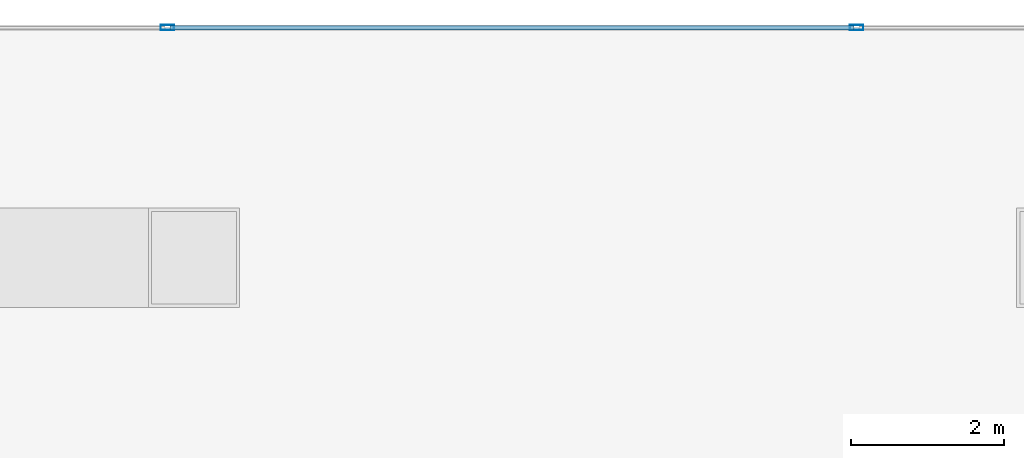
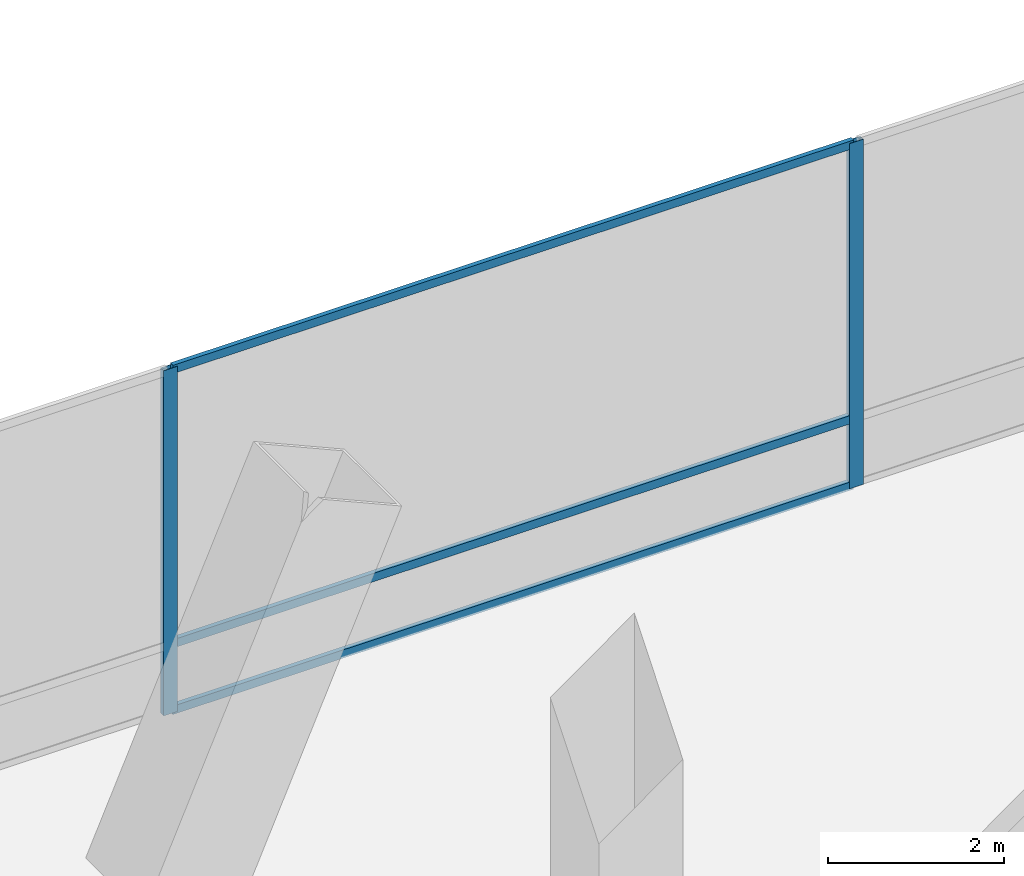
# One storey, part 23 of 42: 5 members, 1 element without a shape of its own.
"""IFC4 building model written with IfcOpenShell, lengths in metres."""

from ifc_helpers import new_model, si_unit, direction, frame, origin, origin_2d, place, context, subcontext, project, spatial, hollow_rectangle, extrude, material, layer, layer_set, material_profile, profile_set, type_object, element, aggregate, save


model = new_model("IFC4")

# Units and contexts
model_context = context("Model", 3, precision=1e-05, world=origin(), true_north=direction((0.0, 1.0)))
body_context = subcontext(model_context, "Body", "Model", "MODEL_VIEW")
ifc_project = project(units=[si_unit("LENGTHUNIT", "METRE"), si_unit("AREAUNIT", "SQUARE_METRE"), si_unit("VOLUMEUNIT", "CUBIC_METRE"), si_unit("PLANEANGLEUNIT", "RADIAN"), si_unit("MASSUNIT", "GRAM", prefix="KILO")], contexts=[model_context])

# Site, building, storey
site_placement = place(None, origin())
site = spatial("IfcSite", under=ifc_project, at=site_placement, CompositionType="ELEMENT")
building_placement = place(site_placement, origin())
building = spatial("IfcBuilding", under=site, at=building_placement, Name="Qianvela Tower", CompositionType="ELEMENT")
storey_placement = place(building_placement, frame((0.0, 0.0, 6.0)))
storey = spatial("IfcBuildingStorey", under=building, at=storey_placement, Name="L01", CompositionType="ELEMENT", Elevation=6.0)

# Curtain wall, members
ifc_material_1 = material(Name="Anodised Architectural Aluminium and Low-E Glass", Category="aluminium")
ifc_layer = layer(ifc_material_1, 0.179931640625)
ifc_layer_set = layer_set([ifc_layer], Name="Anodised Architectural Aluminium and Low-E Glass")
curtain_wall_type = type_object("IfcCurtainWallType", Name="CW-COMMONS", PredefinedType="USERDEFINED", material=ifc_layer_set)
curtain_wall_placement = place(storey_placement, origin())
curtain_wall = element("IfcCurtainWall", 1, at=curtain_wall_placement, inside=storey, type_object=curtain_wall_type, Name="L01 CW-COMMONS Curtain Wall 05", ObjectType="CURTAIN_WALL_SYSTEM", PredefinedType="USERDEFINED")
ifc_material_2 = material(Name="Anodised Architectural Aluminium 6063-T6", Category="aluminium")
ifc_material_profile_1 = material_profile(ifc_material_2, hollow_rectangle(XDim=0.070068359375, YDim=0.179931640625, WallThickness=0.0048828125, at=origin_2d()), Name="ALU-MULL-70x180")
ifc_profile_set_1 = profile_set([ifc_material_profile_1], Name="Anodised Architectural Aluminium 6063-T6")
member_type_1 = type_object("IfcMemberType", Name="CW-COMMONS-MULL", PredefinedType="MULLION", material=ifc_profile_set_1)
member_1_placement = place(storey_placement, frame((50.978515625, 50.5, 0.0), z_axis=(0.0, 0.0, 1.0), x_axis=(0.0, -1.0, 0.0)))
member_1 = element("IfcMember", 2, at=member_1_placement, type_object=member_type_1, Name="CW-2 mullion 3", PredefinedType="MULLION", context=body_context, shape_type="SweptSolid", body=[
    extrude(hollow_rectangle(XDim=0.070068359375, YDim=0.179931640625, WallThickness=0.0048828125, at=origin_2d()), origin(), (0.0, 0.0, 1.0), 4.780029296875),
])
member_2_placement = place(storey_placement, frame((41.992919921875, 50.5, 0.0), z_axis=(0.0, 0.0, 1.0), x_axis=(0.0, -1.0, 0.0)))
member_2 = element("IfcMember", 3, at=member_2_placement, type_object=member_type_1, Name="CW-2 mullion 4", PredefinedType="MULLION", context=body_context, shape_type="SweptSolid", body=[
    extrude(hollow_rectangle(XDim=0.070068359375, YDim=0.179931640625, WallThickness=0.0048828125, at=origin_2d()), origin(), (0.0, 0.0, 1.0), 4.780029296875),
])
ifc_material_3 = material(Name="Anodised Architectural Aluminium 6063-T6", Category="aluminium")
ifc_material_profile_2 = material_profile(ifc_material_3, hollow_rectangle(XDim=0.06005859375, YDim=0.114990234375, WallThickness=0.00390625, at=origin_2d()), Name="ALU-TRAN-60x115")
ifc_profile_set_2 = profile_set([ifc_material_profile_2], Name="Anodised Architectural Aluminium 6063-T6")
member_type_2 = type_object("IfcMemberType", Name="CW-COMMONS-TRAN", PredefinedType="USERDEFINED", material=ifc_profile_set_2)
member_3_placement = place(storey_placement, frame((50.943603515625, 50.5, 0.030029296875), z_axis=(-1.0, 0.0, 0.0), x_axis=(0.0, -1.0, 0.0)))
member_3 = element("IfcMember", 4, at=member_3_placement, type_object=member_type_2, Name="CW-2 transom 3.1", ObjectType="TRANSOM", PredefinedType="USERDEFINED", context=body_context, shape_type="SweptSolid", body=[
    extrude(hollow_rectangle(XDim=0.06005859375, YDim=0.114990234375, WallThickness=0.00390625, at=origin_2d()), origin(), (0.0, 0.0, 1.0), 8.915771484375),
])
member_4_placement = place(storey_placement, frame((50.943603515625, 50.5, 0.949951171875), z_axis=(-1.0, 0.0, 0.0), x_axis=(0.0, -1.0, 0.0)))
member_4 = element("IfcMember", 5, at=member_4_placement, type_object=member_type_2, Name="CW-2 transom 3.2", ObjectType="TRANSOM", PredefinedType="USERDEFINED", context=body_context, shape_type="SweptSolid", body=[
    extrude(hollow_rectangle(XDim=0.06005859375, YDim=0.114990234375, WallThickness=0.00390625, at=origin_2d()), origin(), (0.0, 0.0, 1.0), 8.915771484375),
])
member_5_placement = place(storey_placement, frame((50.943603515625, 50.5, 4.75), z_axis=(-1.0, 0.0, 0.0), x_axis=(0.0, -1.0, 0.0)))
member_5 = element("IfcMember", 6, at=member_5_placement, type_object=member_type_2, Name="CW-2 transom 3.3", ObjectType="TRANSOM", PredefinedType="USERDEFINED", context=body_context, shape_type="SweptSolid", body=[
    extrude(hollow_rectangle(XDim=0.06005859375, YDim=0.114990234375, WallThickness=0.00390625, at=origin_2d()), origin(), (0.0, 0.0, 1.0), 8.915771484375),
])
aggregate(curtain_wall, [member_1, member_2, member_3, member_4, member_5])

save(model, "model.ifc")
